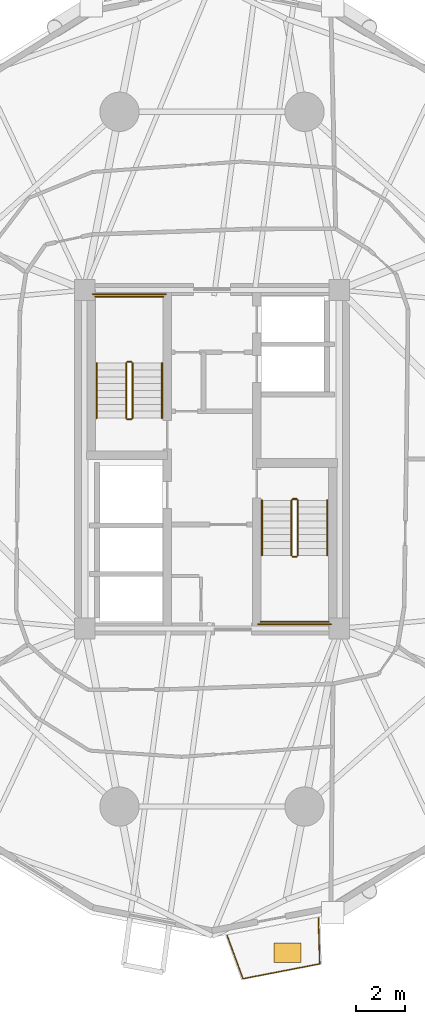
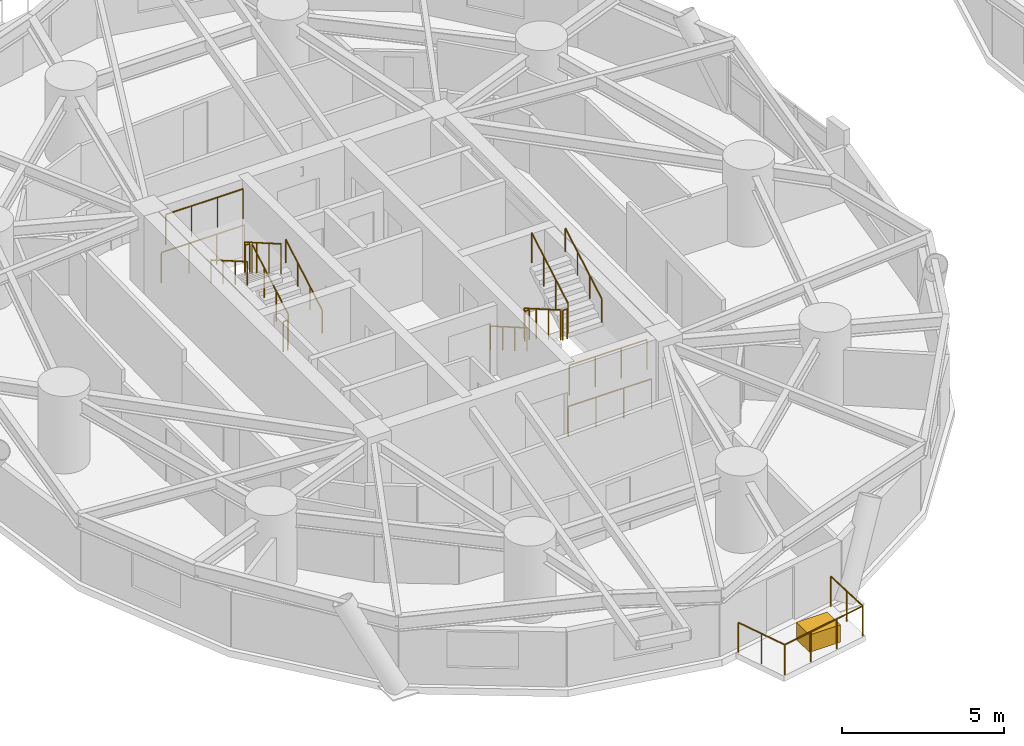
# One storey, part 16 of 18: 17 railings, 1 covering.
"""IFC4 building model written with IfcOpenShell, lengths in metres."""

from ifc_helpers import new_model, si_unit, direction, frame, origin, origin_2d, place, context, subcontext, project, spatial, rectangle, circle, extrude, source, transform, mapped, material, layer, layer_set, type_object, element, save


model = new_model("IFC4")

# Units and contexts
model_context = context("Model", 3, precision=1e-05, world=origin(), true_north=direction((0.0, 1.0)))
body_context = subcontext(model_context, "Body", "Model", "MODEL_VIEW")
ifc_project = project(units=[si_unit("LENGTHUNIT", "METRE"), si_unit("AREAUNIT", "SQUARE_METRE"), si_unit("VOLUMEUNIT", "CUBIC_METRE"), si_unit("PLANEANGLEUNIT", "RADIAN"), si_unit("MASSUNIT", "GRAM", prefix="KILO")], contexts=[model_context])

# Site, building, storey
site_placement = place(None, origin())
site = spatial("IfcSite", under=ifc_project, at=site_placement, CompositionType="ELEMENT")
building_placement = place(site_placement, origin())
building = spatial("IfcBuilding", under=site, at=building_placement, Name="Cununo Teusaquillo Station Towers", CompositionType="ELEMENT")
storey_placement = place(building_placement, frame((0.0, 0.0, 56.919921875)))
storey = spatial("IfcBuildingStorey", under=building, at=storey_placement, Name="L17", CompositionType="ELEMENT", Elevation=56.919921875)

# Railings
ifc_material_1 = material(Name="Anodised dark bronze aluminium EN AW-6063-T6", Category="aluminium")
railing_type_1 = type_object("IfcRailingType", Name="RL-EXT-GUARD", PredefinedType="GUARDRAIL", material=ifc_material_1)
railing_1_placement = place(storey_placement, frame((20.82373046875, 5.844482421875, 0.0)))
element("IfcRailing", 1, at=railing_1_placement, inside=storey, type_object=railing_type_1, Name="L17 Tower A Balcony Guardrail C15", PredefinedType="GUARDRAIL", context=body_context, shape_type="SweptSolid", body=[
    extrude(circle(Radius=0.02392578125, at=origin_2d()), frame((0.0, 0.0, 1.1259765625), z_axis=(0.030654001707, -0.999530055666, 0.0), x_axis=(0.999530055666, 0.030654001707, 0.0)), (0.0, 0.0, 1.0), 1.86376953125),
    extrude(circle(Radius=0.02392578125, at=origin_2d()), frame((0.05712890625, -1.86279296875, 1.1259765625), z_axis=(-0.981832956512, -0.189747320158, 0.0), x_axis=(0.189747320158, -0.981832956512, 0.0)), (0.0, 0.0, 1.0), 3.179443359375),
    extrude(circle(Radius=0.02392578125, at=origin_2d()), frame((-3.064453125, -2.466064453125, 1.1259765625), z_axis=(-0.343992902358, 0.938972248326, 0.0), x_axis=(-0.938972248326, -0.343992902358, 0.0)), (0.0, 0.0, 1.0), 1.86376953125),
    extrude(circle(Radius=0.02099609375, at=origin_2d()), origin(), (0.0, 0.0, 1.0), 1.101806640625),
    extrude(circle(Radius=0.02099609375, at=origin_2d()), frame((0.028564453125, -0.931396484375, 0.0)), (0.0, 0.0, 1.0), 1.101806640625),
    extrude(circle(Radius=0.02099609375, at=origin_2d()), frame((0.05712890625, -1.86279296875, 0.0)), (0.0, 0.0, 1.0), 1.101806640625),
    extrude(circle(Radius=0.02099609375, at=origin_2d()), frame((-0.9833984375, -2.06396484375, 0.0)), (0.0, 0.0, 1.0), 1.101806640625),
    extrude(circle(Radius=0.02099609375, at=origin_2d()), frame((-2.02392578125, -2.264892578125, 0.0)), (0.0, 0.0, 1.0), 1.101806640625),
    extrude(circle(Radius=0.02099609375, at=origin_2d()), frame((-3.064453125, -2.466064453125, 0.0)), (0.0, 0.0, 1.0), 1.101806640625),
    extrude(circle(Radius=0.02099609375, at=origin_2d()), frame((-3.385009765625, -1.591064453125, 0.0)), (0.0, 0.0, 1.0), 1.101806640625),
    extrude(circle(Radius=0.02099609375, at=origin_2d()), frame((-3.70556640625, -0.716064453125, 0.0)), (0.0, 0.0, 1.0), 1.101806640625),
])
ifc_material_2 = material(Name="Steel EN 10025-2 S355J2", Category="steel")
railing_type_2 = type_object("IfcRailingType", Name="RL-INT-GUARD", PredefinedType="GUARDRAIL", material=ifc_material_2)
railing_2_placement = place(storey_placement, frame((13.27001953125, 26.169921875, 0.161865234375)))
element("IfcRailing", 2, at=railing_2_placement, inside=storey, type_object=railing_type_2, Name="L17 ST-T1-1 stair guard 1", PredefinedType="GUARDRAIL", context=body_context, shape_type="SweptSolid", body=[
    extrude(circle(Radius=0.02392578125, at=origin_2d()), frame((0.0, 0.0, 1.1259765625), z_axis=(0.0, 0.866033117094, 0.499986639918), x_axis=(-1.0, 0.0, 0.0)), (0.0, 0.0, 1.0), 2.58642578125),
    extrude(circle(Radius=0.02099609375, at=origin_2d()), origin(), (0.0, 0.0, 1.0), 1.101806640625),
    extrude(circle(Radius=0.02099609375, at=origin_2d()), frame((0.0, 0.74658203125, 0.43115234375)), (0.0, 0.0, 1.0), 1.101806640625),
    extrude(circle(Radius=0.02099609375, at=origin_2d()), frame((0.0, 1.493408203125, 0.862060546875)), (0.0, 0.0, 1.0), 1.101806640625),
    extrude(circle(Radius=0.02099609375, at=origin_2d()), frame((0.0, 2.239990234375, 1.293212890625)), (0.0, 0.0, 1.0), 1.101806640625),
])
railing_3_placement = place(storey_placement, frame((13.219970703125, 28.4599609375, 1.455078125)))
element("IfcRailing", 3, at=railing_3_placement, inside=storey, type_object=railing_type_2, Name="L17 ST-T1-1 stair guard 2", PredefinedType="GUARDRAIL", context=body_context, shape_type="SweptSolid", body=[
    extrude(circle(Radius=0.02392578125, at=origin_2d()), frame((0.0, 0.0, 1.1259765625), z_axis=(-1.0, 0.0, 0.0), x_axis=(0.0, -1.0, 0.0)), (0.0, 0.0, 1.0), 0.159912109375),
    extrude(circle(Radius=0.02099609375, at=origin_2d()), origin(), (0.0, 0.0, 1.0), 1.101806640625),
    extrude(circle(Radius=0.02099609375, at=origin_2d()), frame((-0.159912109375, 0.0, 0.0)), (0.0, 0.0, 1.0), 1.101806640625),
])
railing_4_placement = place(storey_placement, frame((14.52001953125, 31.110107421875, 1.455078125)))
element("IfcRailing", 4, at=railing_4_placement, inside=storey, type_object=railing_type_2, Name="L17 ST-T1-1 stair guard 3", PredefinedType="GUARDRAIL", context=body_context, shape_type="SweptSolid", body=[
    extrude(circle(Radius=0.02392578125, at=origin_2d()), frame((0.0, 0.0, 1.1259765625), z_axis=(-1.0, 0.0, 0.0), x_axis=(0.0, -1.0, 0.0)), (0.0, 0.0, 1.0), 2.760009765625),
    extrude(circle(Radius=0.02099609375, at=origin_2d()), origin(), (0.0, 0.0, 1.0), 1.101806640625),
    extrude(circle(Radius=0.02099609375, at=origin_2d()), frame((-0.919921875, 0.0, 0.0)), (0.0, 0.0, 1.0), 1.101806640625),
    extrude(circle(Radius=0.02099609375, at=origin_2d()), frame((-1.840087890625, 0.0, 0.0)), (0.0, 0.0, 1.0), 1.101806640625),
    extrude(circle(Radius=0.02099609375, at=origin_2d()), frame((-2.760009765625, 0.0, 0.0)), (0.0, 0.0, 1.0), 1.101806640625),
])
railing_5_placement = place(storey_placement, frame((13.010009765625, 28.409912109375, 1.61669921875)))
element("IfcRailing", 5, at=railing_5_placement, inside=storey, type_object=railing_type_2, Name="L17 ST-T1-1 stair guard 4", PredefinedType="GUARDRAIL", context=body_context, shape_type="SweptSolid", body=[
    extrude(circle(Radius=0.02392578125, at=origin_2d()), frame((0.0, 0.0, 1.1259765625), z_axis=(0.0, -0.865992244559, 0.500057429065), x_axis=(1.0, 0.0, 0.0)), (0.0, 0.0, 1.0), 2.586669921875),
    extrude(circle(Radius=0.02099609375, at=origin_2d()), origin(), (0.0, 0.0, 1.0), 1.101806640625),
    extrude(circle(Radius=0.02099609375, at=origin_2d()), frame((0.0, -0.74658203125, 0.43115234375)), (0.0, 0.0, 1.0), 1.101806640625),
    extrude(circle(Radius=0.02099609375, at=origin_2d()), frame((0.0, -1.493408203125, 0.8623046875)), (0.0, 0.0, 1.0), 1.101806640625),
    extrude(circle(Radius=0.02099609375, at=origin_2d()), frame((0.0, -2.239990234375, 1.29345703125)), (0.0, 0.0, 1.0), 1.101806640625),
])
railing_6_placement = place(storey_placement, frame((13.219970703125, 26.1201171875, 0.0)))
element("IfcRailing", 6, at=railing_6_placement, inside=storey, type_object=railing_type_2, Name="L17 ST-T1-1 stair guard 5", PredefinedType="GUARDRAIL", context=body_context, shape_type="SweptSolid", body=[
    extrude(circle(Radius=0.02392578125, at=origin_2d()), frame((0.0, 0.0, 1.1259765625), z_axis=(-1.0, 0.0, 0.0), x_axis=(0.0, -1.0, 0.0)), (0.0, 0.0, 1.0), 0.159912109375),
    extrude(circle(Radius=0.02099609375, at=origin_2d()), origin(), (0.0, 0.0, 1.0), 1.101806640625),
    extrude(circle(Radius=0.02099609375, at=origin_2d()), frame((-0.159912109375, 0.0, 0.0)), (0.0, 0.0, 1.0), 1.101806640625),
])
railing_7_placement = place(storey_placement, frame((14.6201171875, 31.2099609375, 0.0)))
element("IfcRailing", 7, at=railing_7_placement, inside=storey, type_object=railing_type_2, Name="L17 ST-T1-1 stair guard 6", PredefinedType="GUARDRAIL", context=body_context, shape_type="SweptSolid", body=[
    extrude(circle(Radius=0.02392578125, at=origin_2d()), frame((0.0, 0.0, 1.1259765625), z_axis=(-1.0, 0.0, 0.0), x_axis=(0.0, -1.0, 0.0)), (0.0, 0.0, 1.0), 2.960205078125),
    extrude(circle(Radius=0.02099609375, at=origin_2d()), origin(), (0.0, 0.0, 1.0), 1.101806640625),
    extrude(circle(Radius=0.02099609375, at=origin_2d()), frame((-0.98681640625, 0.0, 0.0)), (0.0, 0.0, 1.0), 1.101806640625),
    extrude(circle(Radius=0.02099609375, at=origin_2d()), frame((-1.973388671875, 0.0, 0.0)), (0.0, 0.0, 1.0), 1.101806640625),
    extrude(circle(Radius=0.02099609375, at=origin_2d()), frame((-2.960205078125, 0.0, 0.0)), (0.0, 0.0, 1.0), 1.101806640625),
])
railing_8_placement = place(storey_placement, frame((19.72998046875, 22.830078125, 0.161865234375)))
element("IfcRailing", 8, at=railing_8_placement, inside=storey, type_object=railing_type_2, Name="L17 ST-T1-2 stair guard 1", PredefinedType="GUARDRAIL", context=body_context, shape_type="SweptSolid", body=[
    extrude(circle(Radius=0.02392578125, at=origin_2d()), frame((0.0, 0.0, 1.1259765625), z_axis=(0.0, -0.866033117094, 0.499986639918), x_axis=(1.0, 0.0, 0.0)), (0.0, 0.0, 1.0), 2.58642578125),
    extrude(circle(Radius=0.02099609375, at=origin_2d()), origin(), (0.0, 0.0, 1.0), 1.101806640625),
    extrude(circle(Radius=0.02099609375, at=origin_2d()), frame((0.0, -0.74658203125, 0.43115234375)), (0.0, 0.0, 1.0), 1.101806640625),
    extrude(circle(Radius=0.02099609375, at=origin_2d()), frame((0.0, -1.493408203125, 0.862060546875)), (0.0, 0.0, 1.0), 1.101806640625),
    extrude(circle(Radius=0.02099609375, at=origin_2d()), frame((0.0, -2.239990234375, 1.293212890625)), (0.0, 0.0, 1.0), 1.101806640625),
])
railing_9_placement = place(storey_placement, frame((19.780029296875, 20.5400390625, 1.455078125)))
element("IfcRailing", 9, at=railing_9_placement, inside=storey, type_object=railing_type_2, Name="L17 ST-T1-2 stair guard 2", PredefinedType="GUARDRAIL", context=body_context, shape_type="SweptSolid", body=[
    extrude(circle(Radius=0.02392578125, at=origin_2d()), frame((0.0, 0.0, 1.1259765625), z_axis=(1.0, 0.0, 0.0), x_axis=(0.0, 1.0, 0.0)), (0.0, 0.0, 1.0), 0.159912109375),
    extrude(circle(Radius=0.02099609375, at=origin_2d()), origin(), (0.0, 0.0, 1.0), 1.101806640625),
    extrude(circle(Radius=0.02099609375, at=origin_2d()), frame((0.159912109375, 0.0, 0.0)), (0.0, 0.0, 1.0), 1.101806640625),
])
railing_10_placement = place(storey_placement, frame((18.47998046875, 17.889892578125, 1.455078125)))
element("IfcRailing", 10, at=railing_10_placement, inside=storey, type_object=railing_type_2, Name="L17 ST-T1-2 stair guard 3", PredefinedType="GUARDRAIL", context=body_context, shape_type="SweptSolid", body=[
    extrude(circle(Radius=0.02392578125, at=origin_2d()), frame((0.0, 0.0, 1.1259765625), z_axis=(1.0, 0.0, 0.0), x_axis=(0.0, 1.0, 0.0)), (0.0, 0.0, 1.0), 2.760009765625),
    extrude(circle(Radius=0.02099609375, at=origin_2d()), origin(), (0.0, 0.0, 1.0), 1.101806640625),
    extrude(circle(Radius=0.02099609375, at=origin_2d()), frame((0.919921875, 0.0, 0.0)), (0.0, 0.0, 1.0), 1.101806640625),
    extrude(circle(Radius=0.02099609375, at=origin_2d()), frame((1.840087890625, 0.0, 0.0)), (0.0, 0.0, 1.0), 1.101806640625),
    extrude(circle(Radius=0.02099609375, at=origin_2d()), frame((2.760009765625, 0.0, 0.0)), (0.0, 0.0, 1.0), 1.101806640625),
])
railing_11_placement = place(storey_placement, frame((19.989990234375, 20.590087890625, 1.61669921875)))
element("IfcRailing", 11, at=railing_11_placement, inside=storey, type_object=railing_type_2, Name="L17 ST-T1-2 stair guard 4", PredefinedType="GUARDRAIL", context=body_context, shape_type="SweptSolid", body=[
    extrude(circle(Radius=0.02392578125, at=origin_2d()), frame((0.0, 0.0, 1.1259765625), z_axis=(0.0, 0.865992244559, 0.500057429065), x_axis=(-1.0, 0.0, 0.0)), (0.0, 0.0, 1.0), 2.586669921875),
    extrude(circle(Radius=0.02099609375, at=origin_2d()), origin(), (0.0, 0.0, 1.0), 1.101806640625),
    extrude(circle(Radius=0.02099609375, at=origin_2d()), frame((0.0, 0.74658203125, 0.43115234375)), (0.0, 0.0, 1.0), 1.101806640625),
    extrude(circle(Radius=0.02099609375, at=origin_2d()), frame((0.0, 1.493408203125, 0.8623046875)), (0.0, 0.0, 1.0), 1.101806640625),
    extrude(circle(Radius=0.02099609375, at=origin_2d()), frame((0.0, 2.239990234375, 1.29345703125)), (0.0, 0.0, 1.0), 1.101806640625),
])
railing_12_placement = place(storey_placement, frame((19.780029296875, 22.8798828125, 0.0)))
element("IfcRailing", 12, at=railing_12_placement, inside=storey, type_object=railing_type_2, Name="L17 ST-T1-2 stair guard 5", PredefinedType="GUARDRAIL", context=body_context, shape_type="SweptSolid", body=[
    extrude(circle(Radius=0.02392578125, at=origin_2d()), frame((0.0, 0.0, 1.1259765625), z_axis=(1.0, 0.0, 0.0), x_axis=(0.0, 1.0, 0.0)), (0.0, 0.0, 1.0), 0.159912109375),
    extrude(circle(Radius=0.02099609375, at=origin_2d()), origin(), (0.0, 0.0, 1.0), 1.101806640625),
    extrude(circle(Radius=0.02099609375, at=origin_2d()), frame((0.159912109375, 0.0, 0.0)), (0.0, 0.0, 1.0), 1.101806640625),
])
railing_13_placement = place(storey_placement, frame((18.3798828125, 17.7900390625, 0.0)))
element("IfcRailing", 13, at=railing_13_placement, inside=storey, type_object=railing_type_2, Name="L17 ST-T1-2 stair guard 6", PredefinedType="GUARDRAIL", context=body_context, shape_type="SweptSolid", body=[
    extrude(circle(Radius=0.02392578125, at=origin_2d()), frame((0.0, 0.0, 1.1259765625), z_axis=(1.0, 0.0, 0.0), x_axis=(0.0, 1.0, 0.0)), (0.0, 0.0, 1.0), 2.960205078125),
    extrude(circle(Radius=0.02099609375, at=origin_2d()), origin(), (0.0, 0.0, 1.0), 1.101806640625),
    extrude(circle(Radius=0.02099609375, at=origin_2d()), frame((0.98681640625, 0.0, 0.0)), (0.0, 0.0, 1.0), 1.101806640625),
    extrude(circle(Radius=0.02099609375, at=origin_2d()), frame((1.973388671875, 0.0, 0.0)), (0.0, 0.0, 1.0), 1.101806640625),
    extrude(circle(Radius=0.02099609375, at=origin_2d()), frame((2.960205078125, 0.0, 0.0)), (0.0, 0.0, 1.0), 1.101806640625),
])
ifc_material_3 = material(Name="Steel EN 10025-2 S355J2", Category="steel")
railing_type_3 = type_object("IfcRailingType", Name="RL-INT-HRAIL", PredefinedType="HANDRAIL", material=ifc_material_3)
railing_14_placement = place(storey_placement, frame((14.469970703125, 26.169921875, 0.161865234375)))
element("IfcRailing", 14, at=railing_14_placement, inside=storey, type_object=railing_type_3, Name="L17 ST-T1-1 stair handrail 1", PredefinedType="HANDRAIL", context=body_context, shape_type="SweptSolid", body=[
    extrude(circle(Radius=0.02392578125, at=origin_2d()), frame((0.0, 0.0, 0.8759765625), z_axis=(0.0, 0.866033117094, 0.499986639918), x_axis=(-1.0, 0.0, 0.0)), (0.0, 0.0, 1.0), 2.58642578125),
    extrude(circle(Radius=0.02099609375, at=origin_2d()), origin(), (0.0, 0.0, 1.0), 0.851806640625),
    extrude(circle(Radius=0.02099609375, at=origin_2d()), frame((0.0, 0.74658203125, 0.43115234375)), (0.0, 0.0, 1.0), 0.851806640625),
    extrude(circle(Radius=0.02099609375, at=origin_2d()), frame((0.0, 1.493408203125, 0.862060546875)), (0.0, 0.0, 1.0), 0.851806640625),
    extrude(circle(Radius=0.02099609375, at=origin_2d()), frame((0.0, 2.239990234375, 1.293212890625)), (0.0, 0.0, 1.0), 0.851806640625),
])
railing_15_placement = place(storey_placement, frame((11.81005859375, 28.409912109375, 1.61669921875)))
element("IfcRailing", 15, at=railing_15_placement, inside=storey, type_object=railing_type_3, Name="L17 ST-T1-1 stair handrail 2", PredefinedType="HANDRAIL", context=body_context, shape_type="SweptSolid", body=[
    extrude(circle(Radius=0.02392578125, at=origin_2d()), frame((0.0, 0.0, 0.8759765625), z_axis=(0.0, -0.865992244559, 0.500057429065), x_axis=(1.0, 0.0, 0.0)), (0.0, 0.0, 1.0), 2.586669921875),
    extrude(circle(Radius=0.02099609375, at=origin_2d()), origin(), (0.0, 0.0, 1.0), 0.851806640625),
    extrude(circle(Radius=0.02099609375, at=origin_2d()), frame((0.0, -0.74658203125, 0.43115234375)), (0.0, 0.0, 1.0), 0.851806640625),
    extrude(circle(Radius=0.02099609375, at=origin_2d()), frame((0.0, -1.493408203125, 0.8623046875)), (0.0, 0.0, 1.0), 0.851806640625),
    extrude(circle(Radius=0.02099609375, at=origin_2d()), frame((0.0, -2.239990234375, 1.29345703125)), (0.0, 0.0, 1.0), 0.851806640625),
])
railing_16_placement = place(storey_placement, frame((18.530029296875, 22.830078125, 0.161865234375)))
element("IfcRailing", 16, at=railing_16_placement, inside=storey, type_object=railing_type_3, Name="L17 ST-T1-2 stair handrail 1", PredefinedType="HANDRAIL", context=body_context, shape_type="SweptSolid", body=[
    extrude(circle(Radius=0.02392578125, at=origin_2d()), frame((0.0, 0.0, 0.8759765625), z_axis=(0.0, -0.866033117094, 0.499986639918), x_axis=(1.0, 0.0, 0.0)), (0.0, 0.0, 1.0), 2.58642578125),
    extrude(circle(Radius=0.02099609375, at=origin_2d()), origin(), (0.0, 0.0, 1.0), 0.851806640625),
    extrude(circle(Radius=0.02099609375, at=origin_2d()), frame((0.0, -0.74658203125, 0.43115234375)), (0.0, 0.0, 1.0), 0.851806640625),
    extrude(circle(Radius=0.02099609375, at=origin_2d()), frame((0.0, -1.493408203125, 0.862060546875)), (0.0, 0.0, 1.0), 0.851806640625),
    extrude(circle(Radius=0.02099609375, at=origin_2d()), frame((0.0, -2.239990234375, 1.293212890625)), (0.0, 0.0, 1.0), 0.851806640625),
])
railing_17_placement = place(storey_placement, frame((21.18994140625, 20.590087890625, 1.61669921875)))
element("IfcRailing", 17, at=railing_17_placement, inside=storey, type_object=railing_type_3, Name="L17 ST-T1-2 stair handrail 2", PredefinedType="HANDRAIL", context=body_context, shape_type="SweptSolid", body=[
    extrude(circle(Radius=0.02392578125, at=origin_2d()), frame((0.0, 0.0, 0.8759765625), z_axis=(0.0, 0.865992244559, 0.500057429065), x_axis=(-1.0, 0.0, 0.0)), (0.0, 0.0, 1.0), 2.586669921875),
    extrude(circle(Radius=0.02099609375, at=origin_2d()), origin(), (0.0, 0.0, 1.0), 0.851806640625),
    extrude(circle(Radius=0.02099609375, at=origin_2d()), frame((0.0, 0.74658203125, 0.43115234375)), (0.0, 0.0, 1.0), 0.851806640625),
    extrude(circle(Radius=0.02099609375, at=origin_2d()), frame((0.0, 1.493408203125, 0.8623046875)), (0.0, 0.0, 1.0), 0.851806640625),
    extrude(circle(Radius=0.02099609375, at=origin_2d()), frame((0.0, 2.239990234375, 1.29345703125)), (0.0, 0.0, 1.0), 0.851806640625),
])

# Covering
ifc_material_4 = material(Name="Architectural GRC planter shell and engineered root-zone substrate", Category="concrete")
ifc_layer = layer(ifc_material_4, 0.64990234375)
ifc_layer_set = layer_set([ifc_layer], Name="Architectural GRC planter shell and engineered root-zone substrate")
covering_type = type_object("IfcCoveringType", Name="COV-TREE-PLANTER", PredefinedType="CLADDING", material=ifc_layer_set)
shared_shape = source(origin(), body_context, "Body", "SweptSolid", [
    extrude(rectangle(XDim=1.10009765625, YDim=0.800048828125, at=origin_2d()), origin(), (0.0, 0.0, 1.0), 0.64990234375),
])
covering_placement = place(storey_placement, frame((19.56640625, 4.43408203125, 0.000244140625), z_axis=(0.0, 0.0, 1.0), x_axis=(1.0, 0.0, 0.0)))
element("IfcCovering", 18, at=covering_placement, inside=storey, type_object=covering_type, Name="L17 Tower A Balcony Tree PLANTER C15", PredefinedType="CLADDING", context=body_context, shape_type="MappedRepresentation", body=[
    mapped(shared_shape, transform((0.0, 0.0, 0.0), x_axis=(1.0, 0.0, 0.0), y_axis=(0.0, 1.0, 0.0), z_axis=(0.0, 0.0, 1.0), scale=1.0)),
])

save(model, "model.ifc")
